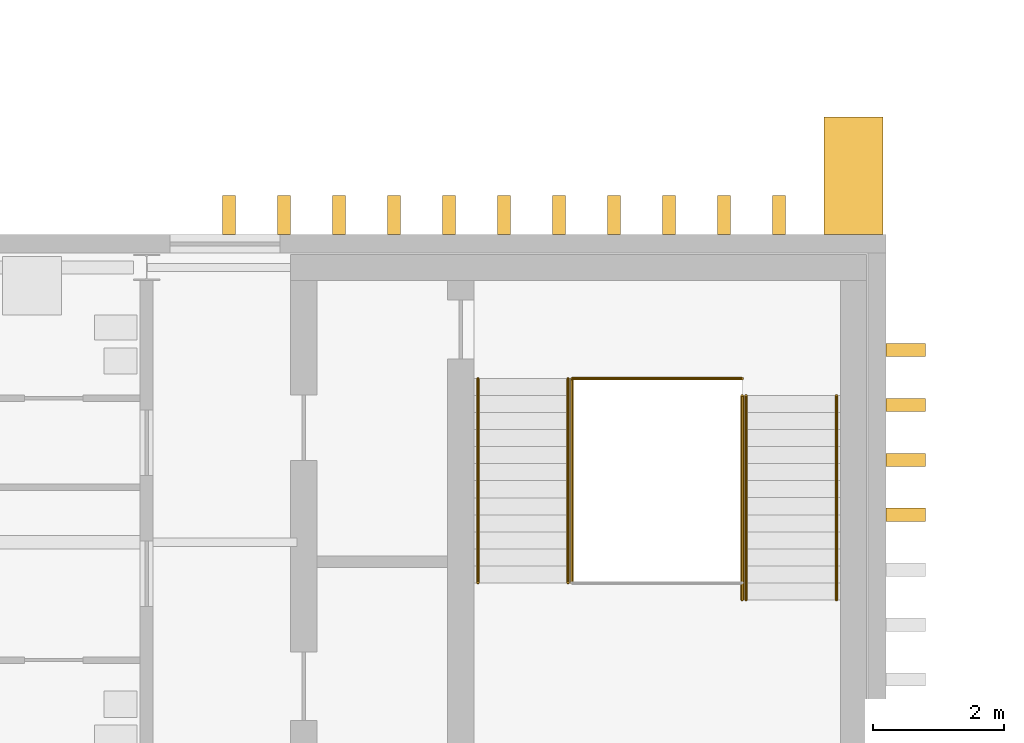
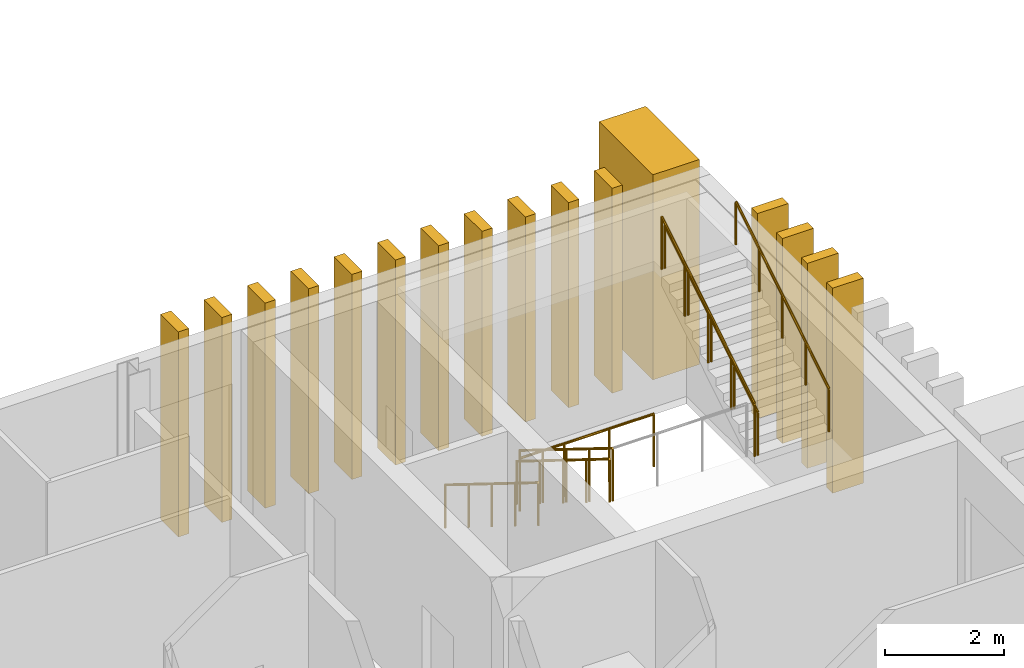
# One storey, part 20 of 21: 16 coverings, 7 railings.
"""IFC4 building model written with IfcOpenShell, lengths in metres."""

from ifc_helpers import new_model, si_unit, direction, frame, origin, origin_2d, place, context, subcontext, project, spatial, rectangle, circle, extrude, material, type_object, element, save


model = new_model("IFC4")

# Units and contexts
model_context = context("Model", 3, precision=1e-05, world=origin(), true_north=direction((0.0, 1.0)))
body_context = subcontext(model_context, "Body", "Model", "MODEL_VIEW")
ifc_project = project(units=[si_unit("LENGTHUNIT", "METRE"), si_unit("AREAUNIT", "SQUARE_METRE"), si_unit("VOLUMEUNIT", "CUBIC_METRE"), si_unit("PLANEANGLEUNIT", "RADIAN"), si_unit("MASSUNIT", "GRAM", prefix="KILO")], contexts=[model_context])

# Site, building, storey
site_placement = place(None, origin())
site = spatial("IfcSite", under=ifc_project, at=site_placement, CompositionType="ELEMENT")
building_placement = place(site_placement, origin())
building = spatial("IfcBuilding", under=site, at=building_placement, Name="Cresset Court Congress Hotel", CompositionType="ELEMENT")
storey_placement = place(building_placement, frame((0.0, 0.0, 22.800048828125)))
storey = spatial("IfcBuildingStorey", under=building, at=storey_placement, Name="L05", CompositionType="ELEMENT", Elevation=22.800048828125)

# Coverings
ifc_material_1 = material(Name="Precast concrete C50", Category="concrete")
covering_type_1 = type_object("IfcCoveringType", Name="Precast stone fin 200x600", PredefinedType="CLADDING", material=ifc_material_1)
for number, where, z_axis, x_axis, name in (
    (1, (177.199951171875, 63.419921875, 0.0), (0.0, 0.0, 1.0), (1.0, 0.0, 0.0), "Fin E076"),
    (2, (177.199951171875, 64.260009765625, 0.0), (0.0, 0.0, 1.0), (1.0, 0.0, 0.0), "Fin E077"),
    (3, (177.199951171875, 65.10009765625, 0.0), (0.0, 0.0, 1.0), (1.0, 0.0, 0.0), "Fin E078"),
    (4, (177.199951171875, 65.93994140625, 0.0), (0.0, 0.0, 1.0), (1.0, 0.0, 0.0), "Fin E079"),
):
    element("IfcCovering", number, at=place(storey_placement, frame(where, z_axis=z_axis, x_axis=x_axis)), inside=storey, type_object=covering_type_1, Name=name, PredefinedType="CLADDING", context=body_context, shape_type="SweptSolid", body=[
        extrude(rectangle(XDim=0.60009765625, YDim=0.199951171875, at=origin_2d()), origin(), (0.0, 0.0, 1.0), 4.199951171875),
    ])
for number, where, z_axis, x_axis, name in (
    (5, (166.860107421875, 68.0, 0.0), (0.0, 0.0, 1.0), (1.0, 0.0, 0.0), "Fin N012"),
    (6, (167.699951171875, 68.0, 0.0), (0.0, 0.0, 1.0), (1.0, 0.0, 0.0), "Fin N013"),
    (7, (168.5400390625, 68.0, 0.0), (0.0, 0.0, 1.0), (1.0, 0.0, 0.0), "Fin N014"),
    (8, (169.3798828125, 68.0, 0.0), (0.0, 0.0, 1.0), (1.0, 0.0, 0.0), "Fin N015"),
    (9, (170.219970703125, 68.0, 0.0), (0.0, 0.0, 1.0), (1.0, 0.0, 0.0), "Fin N016"),
    (10, (171.06005859375, 68.0, 0.0), (0.0, 0.0, 1.0), (1.0, 0.0, 0.0), "Fin N017"),
    (11, (171.89990234375, 68.0, 0.0), (0.0, 0.0, 1.0), (1.0, 0.0, 0.0), "Fin N018"),
    (12, (172.739990234375, 68.0, 0.0), (0.0, 0.0, 1.0), (1.0, 0.0, 0.0), "Fin N019"),
    (13, (173.580078125, 68.0, 0.0), (0.0, 0.0, 1.0), (1.0, 0.0, 0.0), "Fin N020"),
    (14, (174.419921875, 68.0, 0.0), (0.0, 0.0, 1.0), (1.0, 0.0, 0.0), "Fin N021"),
    (15, (175.260009765625, 68.0, 0.0), (0.0, 0.0, 1.0), (1.0, 0.0, 0.0), "Fin N022"),
):
    element("IfcCovering", number, at=place(storey_placement, frame(where, z_axis=z_axis, x_axis=x_axis)), inside=storey, type_object=covering_type_1, Name=name, PredefinedType="CLADDING", context=body_context, shape_type="SweptSolid", body=[
        extrude(rectangle(XDim=0.199951171875, YDim=0.60009765625, at=origin_2d()), origin(), (0.0, 0.0, 1.0), 4.199951171875),
    ])
ifc_material_2 = material(Name="Precast concrete C50", Category="concrete")
covering_type_2 = type_object("IfcCoveringType", Name="Precast stone pier 900x1800", PredefinedType="CLADDING", material=ifc_material_2)
covering_placement = place(storey_placement, frame((176.39990234375, 68.60009765625, 0.0), z_axis=(0.0, 0.0, 1.0), x_axis=(1.0, 0.0, 0.0)))
element("IfcCovering", 16, at=covering_placement, inside=storey, type_object=covering_type_2, Name="Pier N03", PredefinedType="CLADDING", context=body_context, shape_type="SweptSolid", body=[
    extrude(rectangle(XDim=0.89990234375, YDim=1.800048828125, at=origin_2d()), origin(), (0.0, 0.0, 1.0), 4.199951171875),
])

# Railings
ifc_material_3 = material(Name="Stainless steel", Category="steel")
railing_type_1 = type_object("IfcRailingType", Name="Stair guard 1100", PredefinedType="GUARDRAIL", material=ifc_material_3)
railing_1_placement = place(storey_placement, frame((172.10009765625, 65.5, 0.161376953125)))
element("IfcRailing", 17, at=railing_1_placement, inside=storey, type_object=railing_type_1, Name="Guard A2 L05", PredefinedType="GUARDRAIL", context=body_context, shape_type="SweptSolid", body=[
    extrude(circle(Radius=0.02392578125, at=origin_2d()), frame((0.0, 0.0, 1.076171875), z_axis=(0.0, -0.849414166554, 0.527726798313), x_axis=(1.0, 0.0, 0.0)), (0.0, 0.0, 1.0), 3.67333984375),
    extrude(circle(Radius=0.02099609375, at=origin_2d()), origin(), (0.0, 0.0, 1.0), 1.052001953125),
    extrude(circle(Radius=0.02099609375, at=origin_2d()), frame((0.0, -0.780029296875, 0.484619140625)), (0.0, 0.0, 1.0), 1.052001953125),
    extrude(circle(Radius=0.02099609375, at=origin_2d()), frame((0.0, -1.56005859375, 0.96923828125)), (0.0, 0.0, 1.0), 1.052001953125),
    extrude(circle(Radius=0.02099609375, at=origin_2d()), frame((0.0, -2.340087890625, 1.453857421875)), (0.0, 0.0, 1.0), 1.052001953125),
    extrude(circle(Radius=0.02099609375, at=origin_2d()), frame((0.0, -3.1201171875, 1.9384765625)), (0.0, 0.0, 1.0), 1.052001953125),
])
railing_2_placement = place(storey_placement, frame((174.699951171875, 62.1201171875, 2.261474609375)))
element("IfcRailing", 18, at=railing_2_placement, inside=storey, type_object=railing_type_1, Name="Guard A2 L05", PredefinedType="GUARDRAIL", context=body_context, shape_type="SweptSolid", body=[
    extrude(circle(Radius=0.02392578125, at=origin_2d()), frame((0.0, 0.0, 1.076171875), z_axis=(0.0, 0.849395654964, 0.52775659288), x_axis=(-1.0, 0.0, 0.0)), (0.0, 0.0, 1.0), 3.673095703125),
    extrude(circle(Radius=0.02099609375, at=origin_2d()), origin(), (0.0, 0.0, 1.0), 1.052001953125),
    extrude(circle(Radius=0.02099609375, at=origin_2d()), frame((0.0, 0.780029296875, 0.484619140625)), (0.0, 0.0, 1.0), 1.052001953125),
    extrude(circle(Radius=0.02099609375, at=origin_2d()), frame((0.0, 1.56005859375, 0.96923828125)), (0.0, 0.0, 1.0), 1.052001953125),
    extrude(circle(Radius=0.02099609375, at=origin_2d()), frame((0.0, 2.33984375, 1.453857421875)), (0.0, 0.0, 1.0), 1.052001953125),
    extrude(circle(Radius=0.02099609375, at=origin_2d()), frame((0.0, 3.119873046875, 1.9384765625)), (0.0, 0.0, 1.0), 1.052001953125),
])
railing_3_placement = place(storey_placement, frame((172.10009765625, 65.5, 0.0)))
element("IfcRailing", 19, at=railing_3_placement, inside=storey, type_object=railing_type_1, Name="Guard A2 L05", PredefinedType="GUARDRAIL", context=body_context, shape_type="SweptSolid", body=[
    extrude(circle(Radius=0.02392578125, at=origin_2d()), frame((0.0, 0.0, 1.076171875), z_axis=(1.0, 0.0, 0.0), x_axis=(0.0, 1.0, 0.0)), (0.0, 0.0, 1.0), 2.599853515625),
    extrude(circle(Radius=0.02099609375, at=origin_2d()), origin(), (0.0, 0.0, 1.0), 1.052001953125),
    extrude(circle(Radius=0.02099609375, at=origin_2d()), frame((0.86669921875, 0.0, 0.0)), (0.0, 0.0, 1.0), 1.052001953125),
    extrude(circle(Radius=0.02099609375, at=origin_2d()), frame((1.733154296875, 0.0, 0.0)), (0.0, 0.0, 1.0), 1.052001953125),
    extrude(circle(Radius=0.02099609375, at=origin_2d()), frame((2.599853515625, 0.0, 0.0)), (0.0, 0.0, 1.0), 1.052001953125),
])
ifc_material_4 = material(Name="Stainless steel", Category="steel")
railing_type_2 = type_object("IfcRailingType", Name="Stair handrail 900", PredefinedType="HANDRAIL", material=ifc_material_4)
for number, where, name in (
    (20, (170.659912109375, 65.5, 0.161376953125), "Handrail A2 L05"),
    (21, (172.0400390625, 65.5, 0.161376953125), "Handrail A2 L05"),
):
    element("IfcRailing", number, at=place(storey_placement, frame(where)), inside=storey, type_object=railing_type_2, Name=name, PredefinedType="HANDRAIL", context=body_context, shape_type="SweptSolid", body=[
        extrude(circle(Radius=0.02392578125, at=origin_2d()), frame((0.0, 0.0, 0.8759765625), z_axis=(0.0, -0.849414166554, 0.527726798313), x_axis=(1.0, 0.0, 0.0)), (0.0, 0.0, 1.0), 3.67333984375),
        extrude(circle(Radius=0.02099609375, at=origin_2d()), origin(), (0.0, 0.0, 1.0), 0.851806640625),
        extrude(circle(Radius=0.02099609375, at=origin_2d()), frame((0.0, -0.780029296875, 0.484619140625)), (0.0, 0.0, 1.0), 0.851806640625),
        extrude(circle(Radius=0.02099609375, at=origin_2d()), frame((0.0, -1.56005859375, 0.96923828125)), (0.0, 0.0, 1.0), 0.851806640625),
        extrude(circle(Radius=0.02099609375, at=origin_2d()), frame((0.0, -2.340087890625, 1.453857421875)), (0.0, 0.0, 1.0), 0.851806640625),
        extrude(circle(Radius=0.02099609375, at=origin_2d()), frame((0.0, -3.1201171875, 1.9384765625)), (0.0, 0.0, 1.0), 0.851806640625),
    ])
for number, where, name in (
    (22, (174.760009765625, 62.1201171875, 2.261474609375), "Handrail A2 L05"),
    (23, (176.139892578125, 62.1201171875, 2.261474609375), "Handrail A2 L05"),
):
    element("IfcRailing", number, at=place(storey_placement, frame(where)), inside=storey, type_object=railing_type_2, Name=name, PredefinedType="HANDRAIL", context=body_context, shape_type="SweptSolid", body=[
        extrude(circle(Radius=0.02392578125, at=origin_2d()), frame((0.0, 0.0, 0.8759765625), z_axis=(0.0, 0.849395654964, 0.52775659288), x_axis=(-1.0, 0.0, 0.0)), (0.0, 0.0, 1.0), 3.673095703125),
        extrude(circle(Radius=0.02099609375, at=origin_2d()), origin(), (0.0, 0.0, 1.0), 0.851806640625),
        extrude(circle(Radius=0.02099609375, at=origin_2d()), frame((0.0, 0.780029296875, 0.484619140625)), (0.0, 0.0, 1.0), 0.851806640625),
        extrude(circle(Radius=0.02099609375, at=origin_2d()), frame((0.0, 1.56005859375, 0.96923828125)), (0.0, 0.0, 1.0), 0.851806640625),
        extrude(circle(Radius=0.02099609375, at=origin_2d()), frame((0.0, 2.33984375, 1.453857421875)), (0.0, 0.0, 1.0), 0.851806640625),
        extrude(circle(Radius=0.02099609375, at=origin_2d()), frame((0.0, 3.119873046875, 1.9384765625)), (0.0, 0.0, 1.0), 0.851806640625),
    ])

save(model, "model.ifc")
